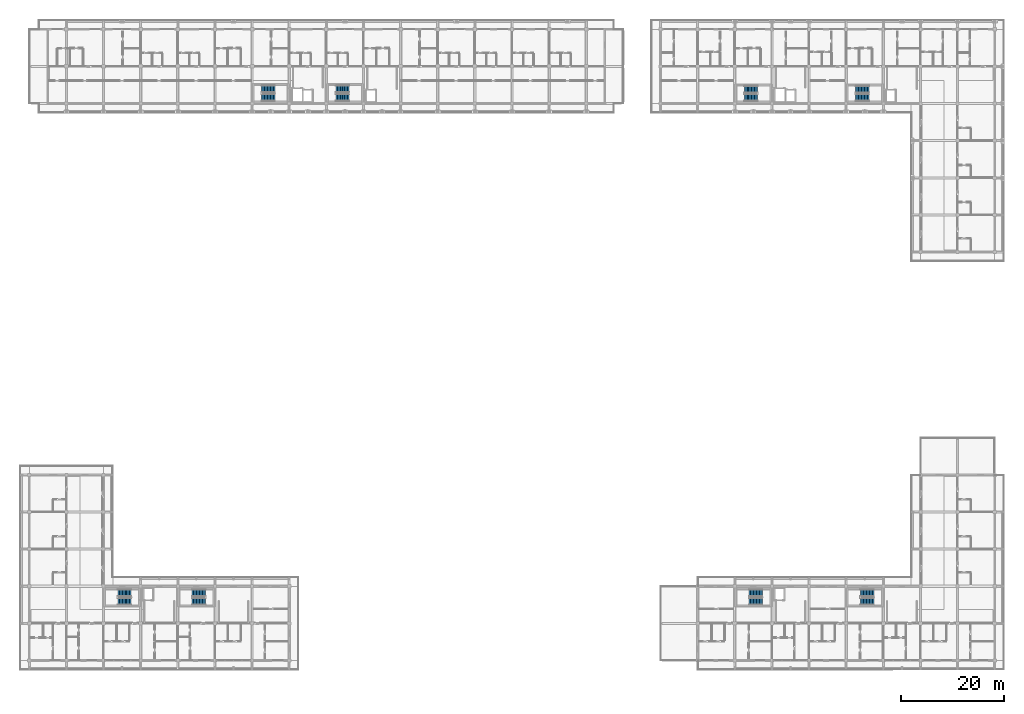
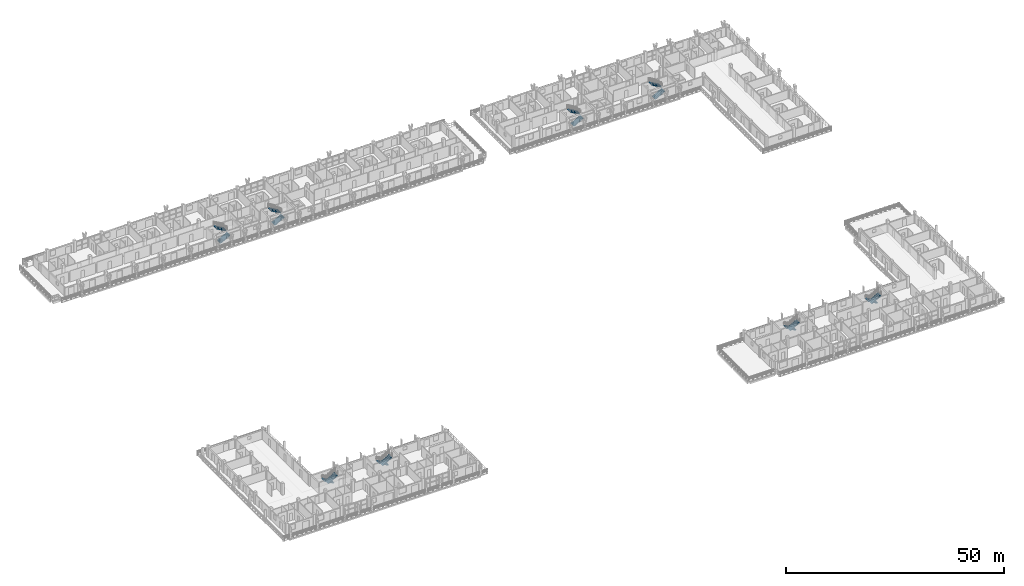
# One storey, part 59 of 75: 16 stair flights, 8 elements without a shape of their own.
"""IFC4 building model written with IfcOpenShell, lengths in metres."""

from ifc_helpers import new_model, si_unit, direction, frame, origin, place, context, subcontext, project, spatial, polyline, outline, extrude, material, type_object, element, aggregate, save


model = new_model("IFC4")

# Units and contexts
model_context = context("Model", 3, precision=1e-05, world=origin(), true_north=direction((0.0, 1.0)))
body_context = subcontext(model_context, "Body", "Model", "MODEL_VIEW")
ifc_project = project(units=[si_unit("LENGTHUNIT", "METRE"), si_unit("AREAUNIT", "SQUARE_METRE"), si_unit("VOLUMEUNIT", "CUBIC_METRE"), si_unit("PLANEANGLEUNIT", "RADIAN"), si_unit("MASSUNIT", "GRAM", prefix="KILO")], contexts=[model_context])

# Site, building, storey
site_placement = place(None, origin())
site = spatial("IfcSite", under=ifc_project, at=site_placement, CompositionType="ELEMENT")
building_placement = place(site_placement, origin())
building = spatial("IfcBuilding", under=site, at=building_placement, Name="Suanplinth Sawtooth Commons", CompositionType="ELEMENT")
storey_placement = place(building_placement, frame((0.0, 0.0, 18.60009765625)))
storey = spatial("IfcBuildingStorey", under=building, at=storey_placement, Name="L05", CompositionType="ELEMENT", Elevation=18.60009765625)

# Stair, stair flights
ifc_material = material(Name="Concrete C40/50", Category="concrete")
stair_type_1 = type_object("IfcStairType", Name="ST-04", PredefinedType="USERDEFINED", material=ifc_material)
stair_1_placement = place(storey_placement, origin())
stair_1 = element("IfcStair", 1, at=stair_1_placement, inside=storey, type_object=stair_type_1, Name="L05 Exit Stair ST-N1", ObjectType="TWO_RETURN_STAIR", PredefinedType="USERDEFINED")
stair_flight_type_1 = type_object("IfcStairFlightType", Name="SF-04", PredefinedType="STRAIGHT", material=ifc_material)
stair_flight_1_placement = place(storey_placement, frame((45.050048828125, 109.175048828125, 0.0), z_axis=(0.0, 0.0, 1.0), x_axis=(1.0, 0.0, 0.0)))
stair_flight_1 = element("IfcStairFlight", 2, at=stair_flight_1_placement, type_object=stair_flight_type_1, Name="ST-04 flight 1", NumberOfRisers=10, NumberOfTreads=9, PredefinedType="STRAIGHT", RiserHeight=0.165, TreadLength=0.285, context=body_context, shape_type="SweptSolid", body=[
    extrude(outline(polyline([(0.0, 0.0), (0.0, 0.1650390625), (0.284912109375, 0.1650390625), (0.284912109375, 0.330078125), (0.570068359375, 0.330078125), (0.570068359375, 0.4951171875), (0.85498046875, 0.4951171875), (0.85498046875, 0.659912109375), (1.139892578125, 0.659912109375), (1.139892578125, 0.824951171875), (1.425048828125, 0.824951171875), (1.425048828125, 0.989990234375), (1.7099609375, 0.989990234375), (1.7099609375, 1.155029296875), (1.9951171875, 1.155029296875), (1.9951171875, 1.320068359375), (2.280029296875, 1.320068359375), (2.280029296875, 1.485107421875), (2.56494140625, 1.485107421875), (2.56494140625, 1.64990234375), (2.56494140625, 1.30029296875), (0.319091796875, 0.0), (0.0, 0.0)])), frame((0.0, 0.72509765625, 0.0), z_axis=(0.0, -1.0, 0.0), x_axis=(1.0, 0.0, 0.0)), (0.0, 0.0, 1.0), 1.449951171875),
])
stair_flight_2_placement = place(storey_placement, frame((47.614990234375, 110.824951171875, 1.64990234375), z_axis=(0.0, 0.0, 1.0), x_axis=(-1.0, 0.0, 0.0)))
stair_flight_2 = element("IfcStairFlight", 3, at=stair_flight_2_placement, type_object=stair_flight_type_1, Name="ST-04 flight 2", NumberOfRisers=10, NumberOfTreads=9, PredefinedType="STRAIGHT", RiserHeight=0.165, TreadLength=0.285, context=body_context, shape_type="SweptSolid", body=[
    extrude(outline(polyline([(0.0, 0.0), (0.0, 0.1650390625), (0.284912109375, 0.1650390625), (0.284912109375, 0.330078125), (0.570068359375, 0.330078125), (0.570068359375, 0.4951171875), (0.85498046875, 0.4951171875), (0.85498046875, 0.659912109375), (1.139892578125, 0.659912109375), (1.139892578125, 0.824951171875), (1.425048828125, 0.824951171875), (1.425048828125, 0.989990234375), (1.7099609375, 0.989990234375), (1.7099609375, 1.155029296875), (1.9951171875, 1.155029296875), (1.9951171875, 1.320068359375), (2.280029296875, 1.320068359375), (2.280029296875, 1.485107421875), (2.56494140625, 1.485107421875), (2.56494140625, 1.64990234375), (2.56494140625, 1.30029296875), (0.319091796875, 0.0), (0.0, 0.0)])), frame((0.0, 0.72509765625, 0.0), z_axis=(0.0, -1.0, 0.0), x_axis=(1.0, 0.0, 0.0)), (0.0, 0.0, 1.0), 1.449951171875),
])
aggregate(stair_1, [stair_flight_1, stair_flight_2])

stair_2_placement = place(storey_placement, origin())
stair_2 = element("IfcStair", 4, at=stair_2_placement, inside=storey, type_object=stair_type_1, Name="L05 Exit Stair ST-N2", ObjectType="TWO_RETURN_STAIR", PredefinedType="USERDEFINED")
stair_flight_3_placement = place(storey_placement, frame((59.449951171875, 109.175048828125, 0.0), z_axis=(0.0, 0.0, 1.0), x_axis=(1.0, 0.0, 0.0)))
stair_flight_3 = element("IfcStairFlight", 5, at=stair_flight_3_placement, type_object=stair_flight_type_1, Name="ST-04 flight 1", NumberOfRisers=10, NumberOfTreads=9, PredefinedType="STRAIGHT", RiserHeight=0.165, TreadLength=0.285, context=body_context, shape_type="SweptSolid", body=[
    extrude(outline(polyline([(0.0, 0.0), (0.0, 0.1650390625), (0.284912109375, 0.1650390625), (0.284912109375, 0.330078125), (0.570068359375, 0.330078125), (0.570068359375, 0.4951171875), (0.85498046875, 0.4951171875), (0.85498046875, 0.659912109375), (1.139892578125, 0.659912109375), (1.139892578125, 0.824951171875), (1.425048828125, 0.824951171875), (1.425048828125, 0.989990234375), (1.7099609375, 0.989990234375), (1.7099609375, 1.155029296875), (1.9951171875, 1.155029296875), (1.9951171875, 1.320068359375), (2.280029296875, 1.320068359375), (2.280029296875, 1.485107421875), (2.56494140625, 1.485107421875), (2.56494140625, 1.64990234375), (2.56494140625, 1.30029296875), (0.319091796875, 0.0), (0.0, 0.0)])), frame((0.0, 0.72509765625, 0.0), z_axis=(0.0, -1.0, 0.0), x_axis=(1.0, 0.0, 0.0)), (0.0, 0.0, 1.0), 1.449951171875),
])
stair_flight_4_placement = place(storey_placement, frame((62.014892578125, 110.824951171875, 1.64990234375), z_axis=(0.0, 0.0, 1.0), x_axis=(-1.0, 0.0, 0.0)))
stair_flight_4 = element("IfcStairFlight", 6, at=stair_flight_4_placement, type_object=stair_flight_type_1, Name="ST-04 flight 2", NumberOfRisers=10, NumberOfTreads=9, PredefinedType="STRAIGHT", RiserHeight=0.165, TreadLength=0.285, context=body_context, shape_type="SweptSolid", body=[
    extrude(outline(polyline([(0.0, 0.0), (0.0, 0.1650390625), (0.284912109375, 0.1650390625), (0.284912109375, 0.330078125), (0.570068359375, 0.330078125), (0.570068359375, 0.4951171875), (0.85498046875, 0.4951171875), (0.85498046875, 0.659912109375), (1.139892578125, 0.659912109375), (1.139892578125, 0.824951171875), (1.425048828125, 0.824951171875), (1.425048828125, 0.989990234375), (1.7099609375, 0.989990234375), (1.7099609375, 1.155029296875), (1.9951171875, 1.155029296875), (1.9951171875, 1.320068359375), (2.280029296875, 1.320068359375), (2.280029296875, 1.485107421875), (2.56494140625, 1.485107421875), (2.56494140625, 1.64990234375), (2.56494140625, 1.30029296875), (0.319091796875, 0.0), (0.0, 0.0)])), frame((0.0, 0.72509765625, 0.0), z_axis=(0.0, -1.0, 0.0), x_axis=(1.0, 0.0, 0.0)), (0.0, 0.0, 1.0), 1.449951171875),
])
aggregate(stair_2, [stair_flight_3, stair_flight_4])

stair_type_2 = type_object("IfcStairType", Name="ST-08", PredefinedType="USERDEFINED", material=ifc_material)
stair_3_placement = place(storey_placement, origin())
stair_3 = element("IfcStair", 7, at=stair_3_placement, inside=storey, type_object=stair_type_2, Name="L05 Exit Stair ST-E1", ObjectType="TWO_RETURN_STAIR", PredefinedType="USERDEFINED")
stair_flight_type_2 = type_object("IfcStairFlightType", Name="SF-08", PredefinedType="STRAIGHT", material=ifc_material)
stair_flight_5_placement = place(storey_placement, frame((138.64990234375, 109.14990234375, 0.0), z_axis=(0.0, 0.0, 1.0), x_axis=(1.0, 0.0, 0.0)))
stair_flight_5 = element("IfcStairFlight", 8, at=stair_flight_5_placement, type_object=stair_flight_type_2, Name="ST-08 flight 1", NumberOfRisers=10, NumberOfTreads=9, PredefinedType="STRAIGHT", RiserHeight=0.165, TreadLength=0.285, context=body_context, shape_type="SweptSolid", body=[
    extrude(outline(polyline([(0.0, 0.0), (0.0, 0.1650390625), (0.284912109375, 0.1650390625), (0.284912109375, 0.330078125), (0.570068359375, 0.330078125), (0.570068359375, 0.4951171875), (0.85498046875, 0.4951171875), (0.85498046875, 0.659912109375), (1.139892578125, 0.659912109375), (1.139892578125, 0.824951171875), (1.425048828125, 0.824951171875), (1.425048828125, 0.989990234375), (1.7099609375, 0.989990234375), (1.7099609375, 1.155029296875), (1.9951171875, 1.155029296875), (1.9951171875, 1.320068359375), (2.280029296875, 1.320068359375), (2.280029296875, 1.485107421875), (2.56494140625, 1.485107421875), (2.56494140625, 1.64990234375), (2.56494140625, 1.30029296875), (0.319091796875, 0.0), (0.0, 0.0)])), frame((0.0, 0.699951171875, 0.0), z_axis=(0.0, -1.0, 0.0), x_axis=(1.0, 0.0, 0.0)), (0.0, 0.0, 1.0), 1.39990234375),
])
stair_flight_6_placement = place(storey_placement, frame((141.215087890625, 110.75, 1.64990234375), z_axis=(0.0, 0.0, 1.0), x_axis=(-1.0, 0.0, 0.0)))
stair_flight_6 = element("IfcStairFlight", 9, at=stair_flight_6_placement, type_object=stair_flight_type_2, Name="ST-08 flight 2", NumberOfRisers=10, NumberOfTreads=9, PredefinedType="STRAIGHT", RiserHeight=0.165, TreadLength=0.285, context=body_context, shape_type="SweptSolid", body=[
    extrude(outline(polyline([(0.0, 0.0), (0.0, 0.1650390625), (0.284912109375, 0.1650390625), (0.284912109375, 0.330078125), (0.570068359375, 0.330078125), (0.570068359375, 0.4951171875), (0.85498046875, 0.4951171875), (0.85498046875, 0.659912109375), (1.139892578125, 0.659912109375), (1.139892578125, 0.824951171875), (1.425048828125, 0.824951171875), (1.425048828125, 0.989990234375), (1.7099609375, 0.989990234375), (1.7099609375, 1.155029296875), (1.9951171875, 1.155029296875), (1.9951171875, 1.320068359375), (2.280029296875, 1.320068359375), (2.280029296875, 1.485107421875), (2.56494140625, 1.485107421875), (2.56494140625, 1.64990234375), (2.56494140625, 1.30029296875), (0.319091796875, 0.0), (0.0, 0.0)])), frame((0.0, 0.699951171875, 0.0), z_axis=(0.0, -1.0, 0.0), x_axis=(1.0, 0.0, 0.0)), (0.0, 0.0, 1.0), 1.39990234375),
])
aggregate(stair_3, [stair_flight_5, stair_flight_6])

stair_4_placement = place(storey_placement, origin())
stair_4 = element("IfcStair", 10, at=stair_4_placement, inside=storey, type_object=stair_type_2, Name="L05 Exit Stair ST-E2", ObjectType="TWO_RETURN_STAIR", PredefinedType="USERDEFINED")
stair_flight_7_placement = place(storey_placement, frame((160.25, 109.14990234375, 0.0), z_axis=(0.0, 0.0, 1.0), x_axis=(1.0, 0.0, 0.0)))
stair_flight_7 = element("IfcStairFlight", 11, at=stair_flight_7_placement, type_object=stair_flight_type_2, Name="ST-08 flight 1", NumberOfRisers=10, NumberOfTreads=9, PredefinedType="STRAIGHT", RiserHeight=0.165, TreadLength=0.285, context=body_context, shape_type="SweptSolid", body=[
    extrude(outline(polyline([(0.0, 0.0), (0.0, 0.1650390625), (0.284912109375, 0.1650390625), (0.284912109375, 0.330078125), (0.570068359375, 0.330078125), (0.570068359375, 0.4951171875), (0.85498046875, 0.4951171875), (0.85498046875, 0.659912109375), (1.139892578125, 0.659912109375), (1.139892578125, 0.824951171875), (1.425048828125, 0.824951171875), (1.425048828125, 0.989990234375), (1.7099609375, 0.989990234375), (1.7099609375, 1.155029296875), (1.9951171875, 1.155029296875), (1.9951171875, 1.320068359375), (2.280029296875, 1.320068359375), (2.280029296875, 1.485107421875), (2.56494140625, 1.485107421875), (2.56494140625, 1.64990234375), (2.56494140625, 1.30029296875), (0.319091796875, 0.0), (0.0, 0.0)])), frame((0.0, 0.699951171875, 0.0), z_axis=(0.0, -1.0, 0.0), x_axis=(1.0, 0.0, 0.0)), (0.0, 0.0, 1.0), 1.39990234375),
])
stair_flight_8_placement = place(storey_placement, frame((162.81494140625, 110.75, 1.64990234375), z_axis=(0.0, 0.0, 1.0), x_axis=(-1.0, 0.0, 0.0)))
stair_flight_8 = element("IfcStairFlight", 12, at=stair_flight_8_placement, type_object=stair_flight_type_2, Name="ST-08 flight 2", NumberOfRisers=10, NumberOfTreads=9, PredefinedType="STRAIGHT", RiserHeight=0.165, TreadLength=0.285, context=body_context, shape_type="SweptSolid", body=[
    extrude(outline(polyline([(0.0, 0.0), (0.0, 0.1650390625), (0.284912109375, 0.1650390625), (0.284912109375, 0.330078125), (0.570068359375, 0.330078125), (0.570068359375, 0.4951171875), (0.85498046875, 0.4951171875), (0.85498046875, 0.659912109375), (1.139892578125, 0.659912109375), (1.139892578125, 0.824951171875), (1.425048828125, 0.824951171875), (1.425048828125, 0.989990234375), (1.7099609375, 0.989990234375), (1.7099609375, 1.155029296875), (1.9951171875, 1.155029296875), (1.9951171875, 1.320068359375), (2.280029296875, 1.320068359375), (2.280029296875, 1.485107421875), (2.56494140625, 1.485107421875), (2.56494140625, 1.64990234375), (2.56494140625, 1.30029296875), (0.319091796875, 0.0), (0.0, 0.0)])), frame((0.0, 0.699951171875, 0.0), z_axis=(0.0, -1.0, 0.0), x_axis=(1.0, 0.0, 0.0)), (0.0, 0.0, 1.0), 1.39990234375),
])
aggregate(stair_4, [stair_flight_7, stair_flight_8])

stair_5_placement = place(storey_placement, origin())
stair_5 = element("IfcStair", 13, at=stair_5_placement, inside=storey, type_object=stair_type_2, Name="L05 Exit Stair ST-S1", ObjectType="TWO_RETURN_STAIR", PredefinedType="USERDEFINED")
stair_flight_9_placement = place(storey_placement, frame((142.14990234375, 13.050048828125, 0.0), z_axis=(0.0, 0.0, 1.0), x_axis=(-1.0, 0.0, 0.0)))
stair_flight_9 = element("IfcStairFlight", 14, at=stair_flight_9_placement, type_object=stair_flight_type_2, Name="ST-08 flight 1", NumberOfRisers=10, NumberOfTreads=9, PredefinedType="STRAIGHT", RiserHeight=0.165, TreadLength=0.285, context=body_context, shape_type="SweptSolid", body=[
    extrude(outline(polyline([(0.0, 0.0), (0.0, 0.1650390625), (0.284912109375, 0.1650390625), (0.284912109375, 0.330078125), (0.570068359375, 0.330078125), (0.570068359375, 0.4951171875), (0.85498046875, 0.4951171875), (0.85498046875, 0.659912109375), (1.139892578125, 0.659912109375), (1.139892578125, 0.824951171875), (1.425048828125, 0.824951171875), (1.425048828125, 0.989990234375), (1.7099609375, 0.989990234375), (1.7099609375, 1.155029296875), (1.9951171875, 1.155029296875), (1.9951171875, 1.320068359375), (2.280029296875, 1.320068359375), (2.280029296875, 1.485107421875), (2.56494140625, 1.485107421875), (2.56494140625, 1.64990234375), (2.56494140625, 1.30029296875), (0.319091796875, 0.0), (0.0, 0.0)])), frame((0.0, 0.699951171875, 0.0), z_axis=(0.0, -1.0, 0.0), x_axis=(1.0, 0.0, 0.0)), (0.0, 0.0, 1.0), 1.39990234375),
])
stair_flight_10_placement = place(storey_placement, frame((139.5849609375, 11.449951171875, 1.64990234375), z_axis=(0.0, 0.0, 1.0), x_axis=(1.0, 0.0, 0.0)))
stair_flight_10 = element("IfcStairFlight", 15, at=stair_flight_10_placement, type_object=stair_flight_type_2, Name="ST-08 flight 2", NumberOfRisers=10, NumberOfTreads=9, PredefinedType="STRAIGHT", RiserHeight=0.165, TreadLength=0.285, context=body_context, shape_type="SweptSolid", body=[
    extrude(outline(polyline([(0.0, 0.0), (0.0, 0.1650390625), (0.284912109375, 0.1650390625), (0.284912109375, 0.330078125), (0.570068359375, 0.330078125), (0.570068359375, 0.4951171875), (0.85498046875, 0.4951171875), (0.85498046875, 0.659912109375), (1.139892578125, 0.659912109375), (1.139892578125, 0.824951171875), (1.425048828125, 0.824951171875), (1.425048828125, 0.989990234375), (1.7099609375, 0.989990234375), (1.7099609375, 1.155029296875), (1.9951171875, 1.155029296875), (1.9951171875, 1.320068359375), (2.280029296875, 1.320068359375), (2.280029296875, 1.485107421875), (2.56494140625, 1.485107421875), (2.56494140625, 1.64990234375), (2.56494140625, 1.30029296875), (0.319091796875, 0.0), (0.0, 0.0)])), frame((0.0, 0.699951171875, 0.0), z_axis=(0.0, -1.0, 0.0), x_axis=(1.0, 0.0, 0.0)), (0.0, 0.0, 1.0), 1.39990234375),
])
aggregate(stair_5, [stair_flight_9, stair_flight_10])

stair_6_placement = place(storey_placement, origin())
stair_6 = element("IfcStair", 16, at=stair_6_placement, inside=storey, type_object=stair_type_2, Name="L05 Exit Stair ST-S2", ObjectType="TWO_RETURN_STAIR", PredefinedType="USERDEFINED")
stair_flight_11_placement = place(storey_placement, frame((163.75, 13.050048828125, 0.0), z_axis=(0.0, 0.0, 1.0), x_axis=(-1.0, 0.0, 0.0)))
stair_flight_11 = element("IfcStairFlight", 17, at=stair_flight_11_placement, type_object=stair_flight_type_2, Name="ST-08 flight 1", NumberOfRisers=10, NumberOfTreads=9, PredefinedType="STRAIGHT", RiserHeight=0.165, TreadLength=0.285, context=body_context, shape_type="SweptSolid", body=[
    extrude(outline(polyline([(0.0, 0.0), (0.0, 0.1650390625), (0.284912109375, 0.1650390625), (0.284912109375, 0.330078125), (0.570068359375, 0.330078125), (0.570068359375, 0.4951171875), (0.85498046875, 0.4951171875), (0.85498046875, 0.659912109375), (1.139892578125, 0.659912109375), (1.139892578125, 0.824951171875), (1.425048828125, 0.824951171875), (1.425048828125, 0.989990234375), (1.7099609375, 0.989990234375), (1.7099609375, 1.155029296875), (1.9951171875, 1.155029296875), (1.9951171875, 1.320068359375), (2.280029296875, 1.320068359375), (2.280029296875, 1.485107421875), (2.56494140625, 1.485107421875), (2.56494140625, 1.64990234375), (2.56494140625, 1.30029296875), (0.319091796875, 0.0), (0.0, 0.0)])), frame((0.0, 0.699951171875, 0.0), z_axis=(0.0, -1.0, 0.0), x_axis=(1.0, 0.0, 0.0)), (0.0, 0.0, 1.0), 1.39990234375),
])
stair_flight_12_placement = place(storey_placement, frame((161.18505859375, 11.449951171875, 1.64990234375), z_axis=(0.0, 0.0, 1.0), x_axis=(1.0, 0.0, 0.0)))
stair_flight_12 = element("IfcStairFlight", 18, at=stair_flight_12_placement, type_object=stair_flight_type_2, Name="ST-08 flight 2", NumberOfRisers=10, NumberOfTreads=9, PredefinedType="STRAIGHT", RiserHeight=0.165, TreadLength=0.285, context=body_context, shape_type="SweptSolid", body=[
    extrude(outline(polyline([(0.0, 0.0), (0.0, 0.1650390625), (0.284912109375, 0.1650390625), (0.284912109375, 0.330078125), (0.570068359375, 0.330078125), (0.570068359375, 0.4951171875), (0.85498046875, 0.4951171875), (0.85498046875, 0.659912109375), (1.139892578125, 0.659912109375), (1.139892578125, 0.824951171875), (1.425048828125, 0.824951171875), (1.425048828125, 0.989990234375), (1.7099609375, 0.989990234375), (1.7099609375, 1.155029296875), (1.9951171875, 1.155029296875), (1.9951171875, 1.320068359375), (2.280029296875, 1.320068359375), (2.280029296875, 1.485107421875), (2.56494140625, 1.485107421875), (2.56494140625, 1.64990234375), (2.56494140625, 1.30029296875), (0.319091796875, 0.0), (0.0, 0.0)])), frame((0.0, 0.699951171875, 0.0), z_axis=(0.0, -1.0, 0.0), x_axis=(1.0, 0.0, 0.0)), (0.0, 0.0, 1.0), 1.39990234375),
])
aggregate(stair_6, [stair_flight_11, stair_flight_12])

stair_7_placement = place(storey_placement, origin())
stair_7 = element("IfcStair", 19, at=stair_7_placement, inside=storey, type_object=stair_type_2, Name="L05 Exit Stair ST-W1", ObjectType="TWO_RETURN_STAIR", PredefinedType="USERDEFINED")
stair_flight_13_placement = place(storey_placement, frame((19.75, 13.050048828125, 0.0), z_axis=(0.0, 0.0, 1.0), x_axis=(-1.0, 0.0, 0.0)))
stair_flight_13 = element("IfcStairFlight", 20, at=stair_flight_13_placement, type_object=stair_flight_type_2, Name="ST-08 flight 1", NumberOfRisers=10, NumberOfTreads=9, PredefinedType="STRAIGHT", RiserHeight=0.165, TreadLength=0.285, context=body_context, shape_type="SweptSolid", body=[
    extrude(outline(polyline([(0.0, 0.0), (0.0, 0.1650390625), (0.284912109375, 0.1650390625), (0.284912109375, 0.330078125), (0.570068359375, 0.330078125), (0.570068359375, 0.4951171875), (0.85498046875, 0.4951171875), (0.85498046875, 0.659912109375), (1.139892578125, 0.659912109375), (1.139892578125, 0.824951171875), (1.425048828125, 0.824951171875), (1.425048828125, 0.989990234375), (1.7099609375, 0.989990234375), (1.7099609375, 1.155029296875), (1.9951171875, 1.155029296875), (1.9951171875, 1.320068359375), (2.280029296875, 1.320068359375), (2.280029296875, 1.485107421875), (2.56494140625, 1.485107421875), (2.56494140625, 1.64990234375), (2.56494140625, 1.30029296875), (0.319091796875, 0.0), (0.0, 0.0)])), frame((0.0, 0.699951171875, 0.0), z_axis=(0.0, -1.0, 0.0), x_axis=(1.0, 0.0, 0.0)), (0.0, 0.0, 1.0), 1.39990234375),
])
stair_flight_14_placement = place(storey_placement, frame((17.18505859375, 11.449951171875, 1.64990234375), z_axis=(0.0, 0.0, 1.0), x_axis=(1.0, 0.0, 0.0)))
stair_flight_14 = element("IfcStairFlight", 21, at=stair_flight_14_placement, type_object=stair_flight_type_2, Name="ST-08 flight 2", NumberOfRisers=10, NumberOfTreads=9, PredefinedType="STRAIGHT", RiserHeight=0.165, TreadLength=0.285, context=body_context, shape_type="SweptSolid", body=[
    extrude(outline(polyline([(0.0, 0.0), (0.0, 0.1650390625), (0.284912109375, 0.1650390625), (0.284912109375, 0.330078125), (0.570068359375, 0.330078125), (0.570068359375, 0.4951171875), (0.85498046875, 0.4951171875), (0.85498046875, 0.659912109375), (1.139892578125, 0.659912109375), (1.139892578125, 0.824951171875), (1.425048828125, 0.824951171875), (1.425048828125, 0.989990234375), (1.7099609375, 0.989990234375), (1.7099609375, 1.155029296875), (1.9951171875, 1.155029296875), (1.9951171875, 1.320068359375), (2.280029296875, 1.320068359375), (2.280029296875, 1.485107421875), (2.56494140625, 1.485107421875), (2.56494140625, 1.64990234375), (2.56494140625, 1.30029296875), (0.319091796875, 0.0), (0.0, 0.0)])), frame((0.0, 0.699951171875, 0.0), z_axis=(0.0, -1.0, 0.0), x_axis=(1.0, 0.0, 0.0)), (0.0, 0.0, 1.0), 1.39990234375),
])
aggregate(stair_7, [stair_flight_13, stair_flight_14])

stair_8_placement = place(storey_placement, origin())
stair_8 = element("IfcStair", 22, at=stair_8_placement, inside=storey, type_object=stair_type_2, Name="L05 Exit Stair ST-W2", ObjectType="TWO_RETURN_STAIR", PredefinedType="USERDEFINED")
stair_flight_15_placement = place(storey_placement, frame((34.14990234375, 13.050048828125, 0.0), z_axis=(0.0, 0.0, 1.0), x_axis=(-1.0, 0.0, 0.0)))
stair_flight_15 = element("IfcStairFlight", 23, at=stair_flight_15_placement, type_object=stair_flight_type_2, Name="ST-08 flight 1", NumberOfRisers=10, NumberOfTreads=9, PredefinedType="STRAIGHT", RiserHeight=0.165, TreadLength=0.285, context=body_context, shape_type="SweptSolid", body=[
    extrude(outline(polyline([(0.0, 0.0), (0.0, 0.1650390625), (0.284912109375, 0.1650390625), (0.284912109375, 0.330078125), (0.570068359375, 0.330078125), (0.570068359375, 0.4951171875), (0.85498046875, 0.4951171875), (0.85498046875, 0.659912109375), (1.139892578125, 0.659912109375), (1.139892578125, 0.824951171875), (1.425048828125, 0.824951171875), (1.425048828125, 0.989990234375), (1.7099609375, 0.989990234375), (1.7099609375, 1.155029296875), (1.9951171875, 1.155029296875), (1.9951171875, 1.320068359375), (2.280029296875, 1.320068359375), (2.280029296875, 1.485107421875), (2.56494140625, 1.485107421875), (2.56494140625, 1.64990234375), (2.56494140625, 1.30029296875), (0.319091796875, 0.0), (0.0, 0.0)])), frame((0.0, 0.699951171875, 0.0), z_axis=(0.0, -1.0, 0.0), x_axis=(1.0, 0.0, 0.0)), (0.0, 0.0, 1.0), 1.39990234375),
])
stair_flight_16_placement = place(storey_placement, frame((31.5849609375, 11.449951171875, 1.64990234375), z_axis=(0.0, 0.0, 1.0), x_axis=(1.0, 0.0, 0.0)))
stair_flight_16 = element("IfcStairFlight", 24, at=stair_flight_16_placement, type_object=stair_flight_type_2, Name="ST-08 flight 2", NumberOfRisers=10, NumberOfTreads=9, PredefinedType="STRAIGHT", RiserHeight=0.165, TreadLength=0.285, context=body_context, shape_type="SweptSolid", body=[
    extrude(outline(polyline([(0.0, 0.0), (0.0, 0.1650390625), (0.284912109375, 0.1650390625), (0.284912109375, 0.330078125), (0.570068359375, 0.330078125), (0.570068359375, 0.4951171875), (0.85498046875, 0.4951171875), (0.85498046875, 0.659912109375), (1.139892578125, 0.659912109375), (1.139892578125, 0.824951171875), (1.425048828125, 0.824951171875), (1.425048828125, 0.989990234375), (1.7099609375, 0.989990234375), (1.7099609375, 1.155029296875), (1.9951171875, 1.155029296875), (1.9951171875, 1.320068359375), (2.280029296875, 1.320068359375), (2.280029296875, 1.485107421875), (2.56494140625, 1.485107421875), (2.56494140625, 1.64990234375), (2.56494140625, 1.30029296875), (0.319091796875, 0.0), (0.0, 0.0)])), frame((0.0, 0.699951171875, 0.0), z_axis=(0.0, -1.0, 0.0), x_axis=(1.0, 0.0, 0.0)), (0.0, 0.0, 1.0), 1.39990234375),
])
aggregate(stair_8, [stair_flight_15, stair_flight_16])

save(model, "model.ifc")
